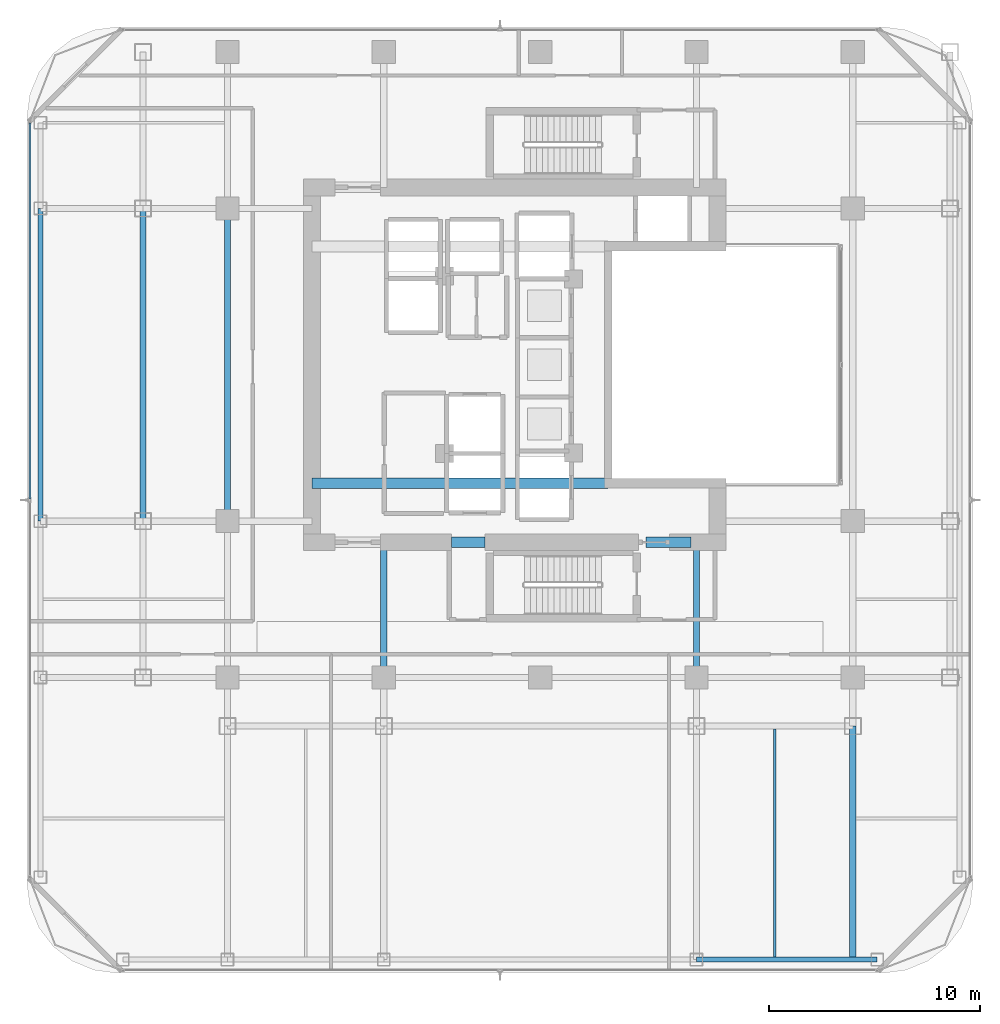
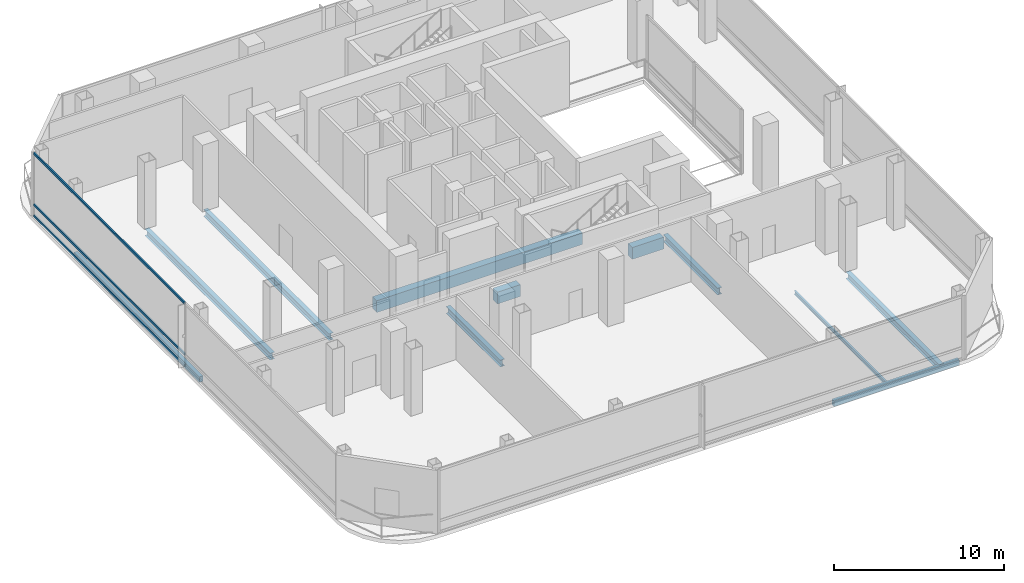
# One storey, part 7 of 22: 11 beams, 3 members, 1 element without a shape of its own.
"""IFC4 building model written with IfcOpenShell, lengths in metres."""

from ifc_helpers import new_model, si_unit, direction, frame, origin, origin_2d, place, context, subcontext, project, spatial, rectangle, hollow_rectangle, i_section, extrude, material, layer, layer_set, material_profile, profile_set, type_object, element, aggregate, save


model = new_model("IFC4")

# Units and contexts
model_context = context("Model", 3, precision=1e-05, world=origin(), true_north=direction((0.0, 1.0)))
body_context = subcontext(model_context, "Body", "Model", "MODEL_VIEW")
ifc_project = project(units=[si_unit("LENGTHUNIT", "METRE"), si_unit("AREAUNIT", "SQUARE_METRE"), si_unit("VOLUMEUNIT", "CUBIC_METRE"), si_unit("PLANEANGLEUNIT", "RADIAN"), si_unit("MASSUNIT", "GRAM", prefix="KILO")], contexts=[model_context])

# Site, building, storey
site_placement = place(None, origin())
site = spatial("IfcSite", under=ifc_project, at=site_placement, CompositionType="ELEMENT")
building_placement = place(site_placement, origin())
building = spatial("IfcBuilding", under=site, at=building_placement, Name="Khorvyn Point Tower", CompositionType="ELEMENT")
storey_placement = place(building_placement, frame((0.0, 0.0, 210.89990234375)))
storey = spatial("IfcBuildingStorey", under=building, at=storey_placement, Name="L52", CompositionType="ELEMENT", Elevation=210.89990234375)

# Curtain wall, members
ifc_material_1 = material(Name="Anodised aluminium 6063-T6 and laminated Low-E glass", Category="aluminium")
ifc_layer = layer(ifc_material_1, 0.18994140625)
ifc_layer_set = layer_set([ifc_layer], Name="Stick-Built Sky-Lobby Curtain Wall CW-SYS-05")
curtain_wall_type = type_object("IfcCurtainWallType", Name="Stick-Built Sky-Lobby Curtain Wall CW-SYS-05", PredefinedType="NOTDEFINED", material=ifc_layer_set)
curtain_wall_placement = place(storey_placement, origin())
curtain_wall = element("IfcCurtainWall", 1, at=curtain_wall_placement, inside=storey, type_object=curtain_wall_type, Name="Curtain Wall", PredefinedType="NOTDEFINED")
ifc_material_2 = material(Name="Anodised aluminium 6063-T6", Category="aluminium")
ifc_material_profile_1 = material_profile(ifc_material_2, hollow_rectangle(XDim=0.10009765625, YDim=0.159912109375, WallThickness=0.00439453125, at=origin_2d()))
ifc_profile_set_1 = profile_set([ifc_material_profile_1], Name="Anodised aluminium 6063-T6 ALU-TRN-100x160")
member_type = type_object("IfcMemberType", Name="Anodised Aluminium 6063-T6 Transom ALU-TRN-100x160", PredefinedType="USERDEFINED", material=ifc_profile_set_1)
member_1_placement = place(storey_placement, frame((-24.14990234375, -6.35009765625, 0.050048828125), z_axis=(0.0, 1.0, 0.0), x_axis=(-1.0, 0.0, 0.0)))
member_1 = element("IfcMember", 2, at=member_1_placement, type_object=member_type, Name="Transom", ObjectType="TRANSOM", PredefinedType="USERDEFINED", context=body_context, shape_type="SweptSolid", body=[
    extrude(hollow_rectangle(XDim=0.10009765625, YDim=0.159912109375, WallThickness=0.00439453125, at=origin_2d()), origin(), (0.0, 0.0, 1.0), 17.800048828125),
])
member_2_placement = place(storey_placement, frame((-24.14990234375, -6.35009765625, 0.85009765625), z_axis=(0.0, 1.0, 0.0), x_axis=(-1.0, 0.0, 0.0)))
member_2 = element("IfcMember", 3, at=member_2_placement, type_object=member_type, Name="Transom", ObjectType="TRANSOM", PredefinedType="USERDEFINED", context=body_context, shape_type="SweptSolid", body=[
    extrude(hollow_rectangle(XDim=0.10009765625, YDim=0.159912109375, WallThickness=0.00439453125, at=origin_2d()), origin(), (0.0, 0.0, 1.0), 17.800048828125),
])
member_3_placement = place(storey_placement, frame((-24.14990234375, -6.35009765625, 4.530029296875), z_axis=(0.0, 1.0, 0.0), x_axis=(-1.0, 0.0, 0.0)))
member_3 = element("IfcMember", 4, at=member_3_placement, type_object=member_type, Name="Transom", ObjectType="TRANSOM", PredefinedType="USERDEFINED", context=body_context, shape_type="SweptSolid", body=[
    extrude(hollow_rectangle(XDim=0.10009765625, YDim=0.159912109375, WallThickness=0.00439453125, at=origin_2d()), origin(), (0.0, 0.0, 1.0), 17.800048828125),
])
aggregate(curtain_wall, [member_1, member_2, member_3])

# Beams
ifc_material_3 = material(Name="Concrete C45/55", Category="concrete")
ifc_material_profile_2 = material_profile(ifc_material_3, rectangle(XDim=0.5, YDim=0.85009765625, at=origin_2d()))
ifc_profile_set_2 = profile_set([ifc_material_profile_2], Name="Concrete C45/55 RC500x850")
beam_type_1 = type_object("IfcBeamType", Name="Concrete C45/55 Beam RC500x850", PredefinedType="BEAM", material=ifc_profile_set_2)
beam_1_placement = place(storey_placement, frame((-10.800048828125, -5.60009765625, -0.704833984375), z_axis=(1.0, 0.0, 0.0), x_axis=(0.0, 1.0, 0.0)))
element("IfcBeam", 5, at=beam_1_placement, inside=storey, type_object=beam_type_1, Name="L52 Core Internal Tie Girder S", PredefinedType="BEAM", context=body_context, shape_type="SweptSolid", body=[
    extrude(rectangle(XDim=0.5, YDim=0.85009765625, at=origin_2d()), origin(), (0.0, 0.0, 1.0), 14.02001953125),
])
beam_2_placement = place(storey_placement, frame((-4.199951171875, -8.39990234375, -0.704833984375), z_axis=(1.0, 0.0, 0.0), x_axis=(0.0, 1.0, 0.0)))
element("IfcBeam", 6, at=beam_2_placement, inside=storey, type_object=beam_type_1, Name="L52 Core Shuttle Portal Coupling Beam", PredefinedType="BEAM", context=body_context, shape_type="SweptSolid", body=[
    extrude(rectangle(XDim=0.5, YDim=0.85009765625, at=origin_2d()), origin(), (0.0, 0.0, 1.0), 1.579833984375),
])
beam_3_placement = place(storey_placement, frame((5.0, -8.39990234375, -0.704833984375), z_axis=(1.0, 0.0, 0.0), x_axis=(0.0, 1.0, 0.0)))
element("IfcBeam", 7, at=beam_3_placement, inside=storey, type_object=beam_type_1, Name="L52 Core Southeast Portal Coupling Beam", PredefinedType="BEAM", context=body_context, shape_type="SweptSolid", body=[
    extrude(rectangle(XDim=0.5, YDim=0.85009765625, at=origin_2d()), origin(), (0.0, 0.0, 1.0), 2.14990234375),
])
ifc_material_4 = material(Name="Steel S355", Category="steel")
ifc_material_profile_3 = material_profile(ifc_material_4, i_section(OverallWidth=0.125, OverallDepth=0.25, WebThickness=0.006103515625, FlangeThickness=0.009033203125, at=origin_2d()))
ifc_profile_set_3 = profile_set([ifc_material_profile_3], Name="Steel S355 H250x125x6x9")
beam_type_2 = type_object("IfcBeamType", Name="Steel S355 Joist H250x125x6x9", PredefinedType="JOIST", material=ifc_profile_set_3)
beam_4_placement = place(storey_placement, frame((11.10009765625, -28.02490234375, -0.40478515625), z_axis=(0.0, 1.0, 0.0), x_axis=(-1.0, 0.0, 0.0)))
element("IfcBeam", 8, at=beam_4_placement, inside=storey, type_object=beam_type_2, Name="Beam", PredefinedType="JOIST", context=body_context, shape_type="SweptSolid", body=[
    extrude(i_section(OverallWidth=0.125, OverallDepth=0.25, WebThickness=0.006103515625, FlangeThickness=0.009033203125, at=origin_2d()), origin(), (0.0, 0.0, 1.0), 10.77490234375),
])
ifc_material_profile_4 = material_profile(ifc_material_4, i_section(OverallWidth=0.300048828125, OverallDepth=0.488037109375, WebThickness=0.010986328125, FlangeThickness=0.01806640625, at=origin_2d()))
ifc_profile_set_4 = profile_set([ifc_material_profile_4], Name="Steel S355 H488x300x11x18")
beam_type_3 = type_object("IfcBeamType", Name="Steel S355 Spandrel H488x300x11x18", PredefinedType="SPANDREL", material=ifc_profile_set_4)
beam_5_placement = place(storey_placement, frame((-14.800048828125, -7.39990234375, -0.52392578125), z_axis=(0.0, 1.0, 0.0), x_axis=(-1.0, 0.0, 0.0)))
element("IfcBeam", 9, at=beam_5_placement, inside=storey, type_object=beam_type_3, Name="Beam", PredefinedType="SPANDREL", context=body_context, shape_type="SweptSolid", body=[
    extrude(i_section(OverallWidth=0.300048828125, OverallDepth=0.488037109375, WebThickness=0.010986328125, FlangeThickness=0.01806640625, at=origin_2d()), origin(), (0.0, 0.0, 1.0), 14.7998046875),
])
beam_6_placement = place(storey_placement, frame((14.800048828125, -28.14990234375, -0.52392578125), z_axis=(0.0, 1.0, 0.0), x_axis=(-1.0, 0.0, 0.0)))
element("IfcBeam", 10, at=beam_6_placement, inside=storey, type_object=beam_type_3, Name="Beam", PredefinedType="SPANDREL", context=body_context, shape_type="SweptSolid", body=[
    extrude(i_section(OverallWidth=0.300048828125, OverallDepth=0.488037109375, WebThickness=0.010986328125, FlangeThickness=0.01806640625, at=origin_2d()), origin(), (0.0, 0.0, 1.0), 11.0498046875),
])
for number, where, z_axis, x_axis, name in (
    (11, (-7.39990234375, -14.800048828125, -0.52392578125), (0.0, 1.0, 0.0), (-1.0, 0.0, 0.0), "Beam"),
    (12, (7.39990234375, -14.800048828125, -0.52392578125), (0.0, 1.0, 0.0), (-1.0, 0.0, 0.0), "Beam"),
):
    element("IfcBeam", number, at=place(storey_placement, frame(where, z_axis=z_axis, x_axis=x_axis)), inside=storey, type_object=beam_type_3, Name=name, PredefinedType="SPANDREL", context=body_context, shape_type="SweptSolid", body=[
        extrude(i_section(OverallWidth=0.300048828125, OverallDepth=0.488037109375, WebThickness=0.010986328125, FlangeThickness=0.01806640625, at=origin_2d()), origin(), (0.0, 0.0, 1.0), 6.400146484375),
    ])
beam_7_placement = place(storey_placement, frame((-18.800048828125, -7.39990234375, -0.52392578125), z_axis=(0.0, 1.0, 0.0), x_axis=(-1.0, 0.0, 0.0)))
element("IfcBeam", 13, at=beam_7_placement, inside=storey, type_object=beam_type_3, Name="Beam", PredefinedType="SPANDREL", context=body_context, shape_type="SweptSolid", body=[
    extrude(i_section(OverallWidth=0.300048828125, OverallDepth=0.488037109375, WebThickness=0.010986328125, FlangeThickness=0.01806640625, at=origin_2d()), origin(), (0.0, 0.0, 1.0), 14.7998046875),
])
ifc_material_profile_5 = material_profile(ifc_material_4, hollow_rectangle(XDim=0.25, YDim=0.39990234375, WallThickness=0.01611328125, at=origin_2d()))
ifc_profile_set_5 = profile_set([ifc_material_profile_5], Name="Steel S355 RHS400x250x16")
beam_type_4 = type_object("IfcBeamType", Name="Steel S355 Spandrel RHS400x250x16", PredefinedType="SPANDREL", material=ifc_profile_set_5)
beam_8_placement = place(storey_placement, frame((7.39990234375, -28.14990234375, -0.47998046875), z_axis=(1.0, 0.0, 0.0), x_axis=(0.0, 1.0, 0.0)))
element("IfcBeam", 14, at=beam_8_placement, inside=storey, type_object=beam_type_4, Name="Beam", PredefinedType="SPANDREL", context=body_context, shape_type="SweptSolid", body=[
    extrude(hollow_rectangle(XDim=0.25, YDim=0.39990234375, WallThickness=0.01611328125, at=origin_2d()), origin(), (0.0, 0.0, 1.0), 8.550048828125),
])
beam_9_placement = place(storey_placement, frame((-23.64990234375, -7.39990234375, -0.47998046875), z_axis=(0.0, 1.0, 0.0), x_axis=(-1.0, 0.0, 0.0)))
element("IfcBeam", 15, at=beam_9_placement, inside=storey, type_object=beam_type_4, Name="Beam", PredefinedType="SPANDREL", context=body_context, shape_type="SweptSolid", body=[
    extrude(hollow_rectangle(XDim=0.25, YDim=0.39990234375, WallThickness=0.01611328125, at=origin_2d()), origin(), (0.0, 0.0, 1.0), 14.7998046875),
])

save(model, "model.ifc")
